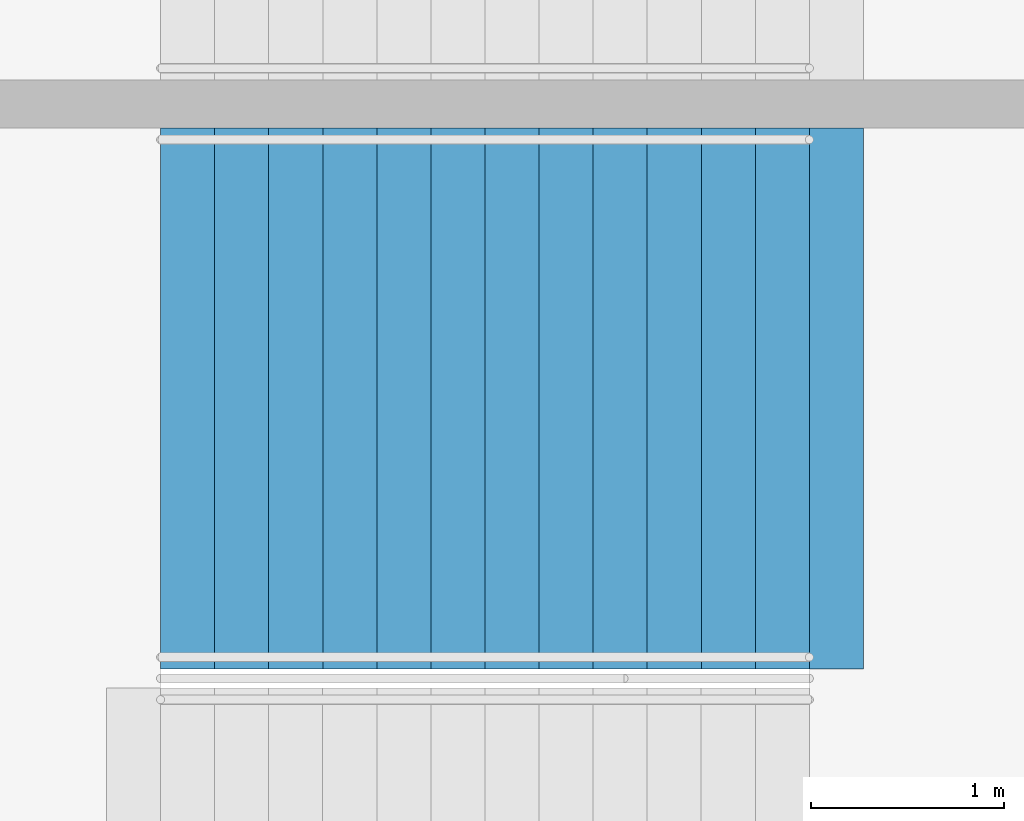
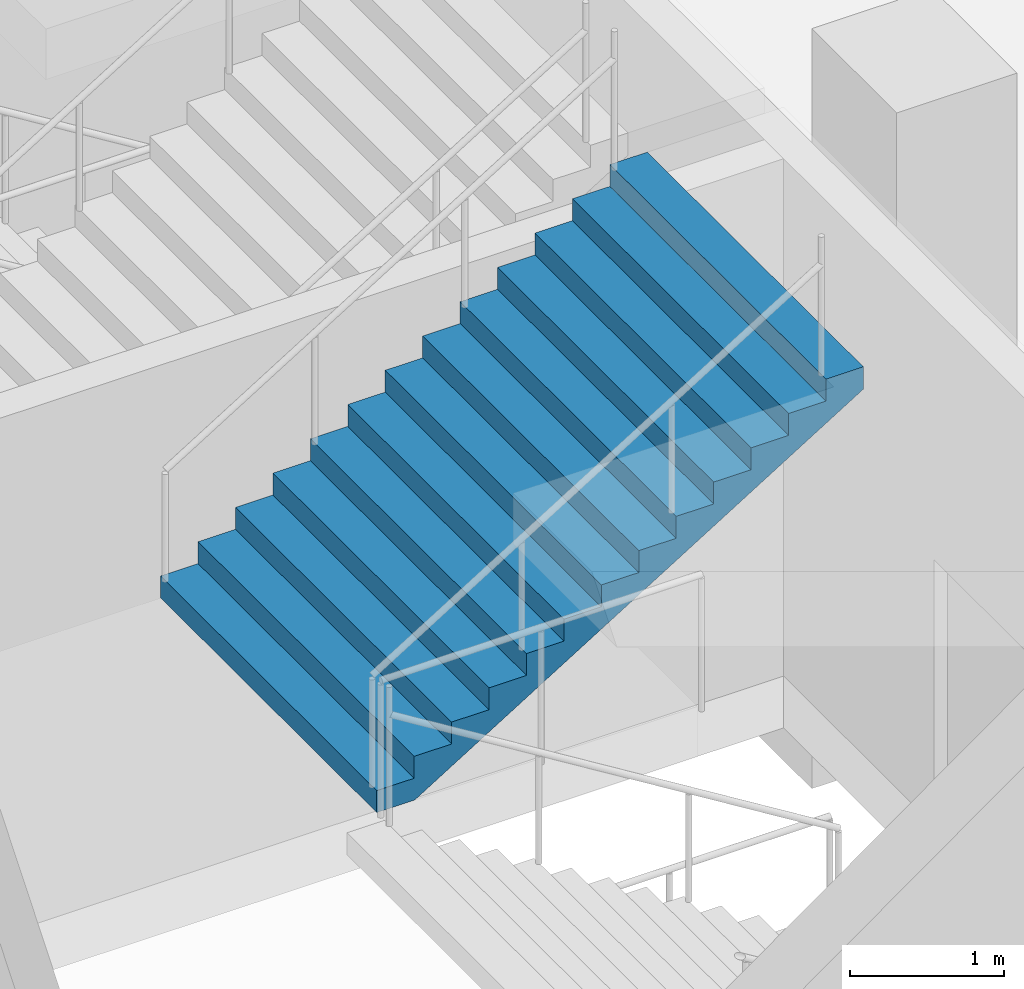
# One storey, part 135 of 199: 1 stair flight, 1 element without a shape of its own.
"""IFC4 building model written with IfcOpenShell, lengths in metres."""

from ifc_helpers import new_model, si_unit, direction, frame, origin, place, context, subcontext, project, spatial, faceted_brep, material, type_object, element, aggregate, save


model = new_model("IFC4")

# Units and contexts
model_context = context("Model", 3, precision=1e-05, world=origin(), true_north=direction((0.0, 1.0)))
body_context = subcontext(model_context, "Body", "Model", "MODEL_VIEW")
ifc_project = project(units=[si_unit("LENGTHUNIT", "METRE"), si_unit("AREAUNIT", "SQUARE_METRE"), si_unit("VOLUMEUNIT", "CUBIC_METRE"), si_unit("PLANEANGLEUNIT", "RADIAN"), si_unit("MASSUNIT", "GRAM", prefix="KILO")], contexts=[model_context])

# Site, building, storey
site_placement = place(None, origin())
site = spatial("IfcSite", under=ifc_project, at=site_placement, CompositionType="ELEMENT")
building_placement = place(site_placement, origin())
building = spatial("IfcBuilding", under=site, at=building_placement, Name="Ogive Plaza Stadium", CompositionType="ELEMENT")
storey_placement = place(building_placement, frame((0.0, 0.0, 4.5)))
storey = spatial("IfcBuildingStorey", under=building, at=storey_placement, Name="L01", CompositionType="ELEMENT", Elevation=4.5)

# Stair, stair flight
ifc_material_1 = material(Name="Concrete C40/50", Category="concrete")
stair_type = type_object("IfcStairType", Name="Exit stair", PredefinedType="STRAIGHT_RUN_STAIR", material=ifc_material_1)
stair_placement = place(storey_placement, origin())
stair = element("IfcStair", 1, at=stair_placement, inside=storey, type_object=stair_type, Name="Exit stair ST26B L01 to L02", PredefinedType="STRAIGHT_RUN_STAIR")
ifc_material_2 = material(Name="Concrete C40/50", Category="concrete")
stair_flight_type = type_object("IfcStairFlightType", Name="Exit stair flight", PredefinedType="STRAIGHT", material=ifc_material_2)
stair_flight_placement = place(storey_placement, frame((-79.7099609375, 20.97509765625, 2.25), z_axis=(0.0, 0.0, 1.0), x_axis=(1.0, 0.0, 0.0)))
stair_flight = element("IfcStairFlight", 2, at=stair_flight_placement, type_object=stair_flight_type, Name="ST26B flight 2", NumberOfRisers=13, NumberOfTreads=12, PredefinedType="STRAIGHT", RiserHeight=0.173076923, TreadLength=0.28, context=body_context, shape_type="Brep", body=[
    faceted_brep([(0.28515625, -1.39990234375, 0.0), (3.639892578125, -1.39990234375, 2.07373046875), (3.639892578125, -1.39990234375, 2.25), (3.360107421875, -1.39990234375, 2.25), (3.360107421875, -1.39990234375, 2.076904296875), (3.080078125, -1.39990234375, 2.076904296875), (3.080078125, -1.39990234375, 1.90380859375), (2.800048828125, -1.39990234375, 1.90380859375), (2.800048828125, -1.39990234375, 1.730712890625), (2.52001953125, -1.39990234375, 1.730712890625), (2.52001953125, -1.39990234375, 1.5576171875), (2.239990234375, -1.39990234375, 1.5576171875), (2.239990234375, -1.39990234375, 1.384521484375), (1.9599609375, -1.39990234375, 1.384521484375), (1.9599609375, -1.39990234375, 1.21142578125), (1.679931640625, -1.39990234375, 1.21142578125), (1.679931640625, -1.39990234375, 1.03857421875), (1.39990234375, -1.39990234375, 1.03857421875), (1.39990234375, -1.39990234375, 0.865478515625), (1.1201171875, -1.39990234375, 0.865478515625), (1.1201171875, -1.39990234375, 0.6923828125), (0.840087890625, -1.39990234375, 0.6923828125), (0.840087890625, -1.39990234375, 0.519287109375), (0.56005859375, -1.39990234375, 0.519287109375), (0.56005859375, -1.39990234375, 0.34619140625), (0.280029296875, -1.39990234375, 0.34619140625), (0.280029296875, -1.39990234375, 0.173095703125), (0.0, -1.39990234375, 0.173095703125), (0.0, -1.39990234375, 0.0), (0.0, 1.39990234375, 0.0), (0.0, 1.39990234375, 0.173095703125), (0.280029296875, 1.39990234375, 0.173095703125), (0.280029296875, 1.39990234375, 0.34619140625), (0.56005859375, 1.39990234375, 0.34619140625), (0.56005859375, 1.39990234375, 0.519287109375), (0.840087890625, 1.39990234375, 0.519287109375), (0.840087890625, 1.39990234375, 0.6923828125), (1.1201171875, 1.39990234375, 0.6923828125), (1.1201171875, 1.39990234375, 0.865478515625), (1.39990234375, 1.39990234375, 0.865478515625), (1.39990234375, 1.39990234375, 1.03857421875), (1.679931640625, 1.39990234375, 1.03857421875), (1.679931640625, 1.39990234375, 1.21142578125), (1.9599609375, 1.39990234375, 1.21142578125), (1.9599609375, 1.39990234375, 1.384521484375), (2.239990234375, 1.39990234375, 1.384521484375), (2.239990234375, 1.39990234375, 1.5576171875), (2.52001953125, 1.39990234375, 1.5576171875), (2.52001953125, 1.39990234375, 1.730712890625), (2.800048828125, 1.39990234375, 1.730712890625), (2.800048828125, 1.39990234375, 1.90380859375), (3.080078125, 1.39990234375, 1.90380859375), (3.080078125, 1.39990234375, 2.076904296875), (3.360107421875, 1.39990234375, 2.076904296875), (3.360107421875, 1.39990234375, 2.25), (3.639892578125, 1.39990234375, 2.25), (3.639892578125, 1.39990234375, 2.07373046875), (0.28515625, 1.39990234375, 0.0), (0.28515625, -1.0888671875, 0.0), (3.639892578125, -1.0888671875, 2.07373046875), (0.28515625, -0.77783203125, 0.0), (3.639892578125, -0.77783203125, 2.07373046875), (0.28515625, -0.466796875, 0.0), (3.639892578125, -0.466796875, 2.07373046875), (0.28515625, -0.155517578125, 0.0), (3.639892578125, -0.155517578125, 2.07373046875), (0.28515625, 0.155517578125, 0.0), (3.639892578125, 0.155517578125, 2.07373046875), (0.28515625, 0.466796875, 0.0), (3.639892578125, 0.466796875, 2.07373046875), (0.28515625, 0.77783203125, 0.0), (3.639892578125, 0.77783203125, 2.07373046875), (0.28515625, 1.0888671875, 0.0), (3.639892578125, 1.0888671875, 2.07373046875), (3.639892578125, -1.0888671875, 2.25), (3.639892578125, -0.77783203125, 2.25), (3.639892578125, -0.466796875, 2.25), (3.639892578125, -0.155517578125, 2.25), (3.639892578125, 0.155517578125, 2.25), (3.639892578125, 0.466796875, 2.25), (3.639892578125, 0.77783203125, 2.25), (3.639892578125, 1.0888671875, 2.25), (3.360107421875, -1.0888671875, 2.25), (3.360107421875, -0.77783203125, 2.25), (3.360107421875, -0.466796875, 2.25), (3.360107421875, -0.155517578125, 2.25), (3.360107421875, 0.155517578125, 2.25), (3.360107421875, 0.466796875, 2.25), (3.360107421875, 0.77783203125, 2.25), (3.360107421875, 1.0888671875, 2.25), (3.360107421875, -1.0888671875, 2.076904296875), (3.360107421875, -0.77783203125, 2.076904296875), (3.360107421875, -0.466796875, 2.076904296875), (3.360107421875, -0.155517578125, 2.076904296875), (3.360107421875, 0.155517578125, 2.076904296875), (3.360107421875, 0.466796875, 2.076904296875), (3.360107421875, 0.77783203125, 2.076904296875), (3.360107421875, 1.0888671875, 2.076904296875), (3.080078125, -1.0888671875, 2.076904296875), (3.080078125, -0.77783203125, 2.076904296875), (3.080078125, -0.466796875, 2.076904296875), (3.080078125, -0.155517578125, 2.076904296875), (3.080078125, 0.155517578125, 2.076904296875), (3.080078125, 0.466796875, 2.076904296875), (3.080078125, 0.77783203125, 2.076904296875), (3.080078125, 1.0888671875, 2.076904296875), (3.080078125, -1.0888671875, 1.90380859375), (3.080078125, -0.77783203125, 1.90380859375), (3.080078125, -0.466796875, 1.90380859375), (3.080078125, -0.155517578125, 1.90380859375), (3.080078125, 0.155517578125, 1.90380859375), (3.080078125, 0.466796875, 1.90380859375), (3.080078125, 0.77783203125, 1.90380859375), (3.080078125, 1.0888671875, 1.90380859375), (2.800048828125, -1.0888671875, 1.90380859375), (2.800048828125, -0.77783203125, 1.90380859375), (2.800048828125, -0.466796875, 1.90380859375), (2.800048828125, -0.155517578125, 1.90380859375), (2.800048828125, 0.155517578125, 1.90380859375), (2.800048828125, 0.466796875, 1.90380859375), (2.800048828125, 0.77783203125, 1.90380859375), (2.800048828125, 1.0888671875, 1.90380859375), (2.800048828125, -1.0888671875, 1.730712890625), (2.800048828125, -0.77783203125, 1.730712890625), (2.800048828125, -0.466796875, 1.730712890625), (2.800048828125, -0.155517578125, 1.730712890625), (2.800048828125, 0.155517578125, 1.730712890625), (2.800048828125, 0.466796875, 1.730712890625), (2.800048828125, 0.77783203125, 1.730712890625), (2.800048828125, 1.0888671875, 1.730712890625), (2.52001953125, -1.0888671875, 1.730712890625), (2.52001953125, -0.77783203125, 1.730712890625), (2.52001953125, -0.466796875, 1.730712890625), (2.52001953125, -0.155517578125, 1.730712890625), (2.52001953125, 0.155517578125, 1.730712890625), (2.52001953125, 0.466796875, 1.730712890625), (2.52001953125, 0.77783203125, 1.730712890625), (2.52001953125, 1.0888671875, 1.730712890625), (2.52001953125, -1.0888671875, 1.5576171875), (2.52001953125, -0.77783203125, 1.5576171875), (2.52001953125, -0.466796875, 1.5576171875), (2.52001953125, -0.155517578125, 1.5576171875), (2.52001953125, 0.155517578125, 1.5576171875), (2.52001953125, 0.466796875, 1.5576171875), (2.52001953125, 0.77783203125, 1.5576171875), (2.52001953125, 1.0888671875, 1.5576171875), (2.239990234375, -1.0888671875, 1.5576171875), (2.239990234375, -0.77783203125, 1.5576171875), (2.239990234375, -0.466796875, 1.5576171875), (2.239990234375, -0.155517578125, 1.5576171875), (2.239990234375, 0.155517578125, 1.5576171875), (2.239990234375, 0.466796875, 1.5576171875), (2.239990234375, 0.77783203125, 1.5576171875), (2.239990234375, 1.0888671875, 1.5576171875), (2.239990234375, -1.0888671875, 1.384521484375), (2.239990234375, -0.77783203125, 1.384521484375), (2.239990234375, -0.466796875, 1.384521484375), (2.239990234375, -0.155517578125, 1.384521484375), (2.239990234375, 0.155517578125, 1.384521484375), (2.239990234375, 0.466796875, 1.384521484375), (2.239990234375, 0.77783203125, 1.384521484375), (2.239990234375, 1.0888671875, 1.384521484375), (1.9599609375, -1.0888671875, 1.384521484375), (1.9599609375, -0.77783203125, 1.384521484375), (1.9599609375, -0.466796875, 1.384521484375), (1.9599609375, -0.155517578125, 1.384521484375), (1.9599609375, 0.155517578125, 1.384521484375), (1.9599609375, 0.466796875, 1.384521484375), (1.9599609375, 0.77783203125, 1.384521484375), (1.9599609375, 1.0888671875, 1.384521484375), (1.9599609375, -1.0888671875, 1.21142578125), (1.9599609375, -0.77783203125, 1.21142578125), (1.9599609375, -0.466796875, 1.21142578125), (1.9599609375, -0.155517578125, 1.21142578125), (1.9599609375, 0.155517578125, 1.21142578125), (1.9599609375, 0.466796875, 1.21142578125), (1.9599609375, 0.77783203125, 1.21142578125), (1.9599609375, 1.0888671875, 1.21142578125), (1.679931640625, -1.0888671875, 1.21142578125), (1.679931640625, -0.77783203125, 1.21142578125), (1.679931640625, -0.466796875, 1.21142578125), (1.679931640625, -0.155517578125, 1.21142578125), (1.679931640625, 0.155517578125, 1.21142578125), (1.679931640625, 0.466796875, 1.21142578125), (1.679931640625, 0.77783203125, 1.21142578125), (1.679931640625, 1.0888671875, 1.21142578125), (1.679931640625, -1.0888671875, 1.03857421875), (1.679931640625, -0.77783203125, 1.03857421875), (1.679931640625, -0.466796875, 1.03857421875), (1.679931640625, -0.155517578125, 1.03857421875), (1.679931640625, 0.155517578125, 1.03857421875), (1.679931640625, 0.466796875, 1.03857421875), (1.679931640625, 0.77783203125, 1.03857421875), (1.679931640625, 1.0888671875, 1.03857421875), (1.39990234375, -1.0888671875, 1.03857421875), (1.39990234375, -0.77783203125, 1.03857421875), (1.39990234375, -0.466796875, 1.03857421875), (1.39990234375, -0.155517578125, 1.03857421875), (1.39990234375, 0.155517578125, 1.03857421875), (1.39990234375, 0.466796875, 1.03857421875), (1.39990234375, 0.77783203125, 1.03857421875), (1.39990234375, 1.0888671875, 1.03857421875), (1.39990234375, -1.0888671875, 0.865478515625), (1.39990234375, -0.77783203125, 0.865478515625), (1.39990234375, -0.466796875, 0.865478515625), (1.39990234375, -0.155517578125, 0.865478515625), (1.39990234375, 0.155517578125, 0.865478515625), (1.39990234375, 0.466796875, 0.865478515625), (1.39990234375, 0.77783203125, 0.865478515625), (1.39990234375, 1.0888671875, 0.865478515625), (1.1201171875, -1.0888671875, 0.865478515625), (1.1201171875, -0.77783203125, 0.865478515625), (1.1201171875, -0.466796875, 0.865478515625), (1.1201171875, -0.155517578125, 0.865478515625), (1.1201171875, 0.155517578125, 0.865478515625), (1.1201171875, 0.466796875, 0.865478515625), (1.1201171875, 0.77783203125, 0.865478515625), (1.1201171875, 1.0888671875, 0.865478515625), (1.1201171875, -1.0888671875, 0.6923828125), (1.1201171875, -0.77783203125, 0.6923828125), (1.1201171875, -0.466796875, 0.6923828125), (1.1201171875, -0.155517578125, 0.6923828125), (1.1201171875, 0.155517578125, 0.6923828125), (1.1201171875, 0.466796875, 0.6923828125), (1.1201171875, 0.77783203125, 0.6923828125), (1.1201171875, 1.0888671875, 0.6923828125), (0.840087890625, -1.0888671875, 0.6923828125), (0.840087890625, -0.77783203125, 0.6923828125), (0.840087890625, -0.466796875, 0.6923828125), (0.840087890625, -0.155517578125, 0.6923828125), (0.840087890625, 0.155517578125, 0.6923828125), (0.840087890625, 0.466796875, 0.6923828125), (0.840087890625, 0.77783203125, 0.6923828125), (0.840087890625, 1.0888671875, 0.6923828125), (0.840087890625, -1.0888671875, 0.519287109375), (0.840087890625, -0.77783203125, 0.519287109375), (0.840087890625, -0.466796875, 0.519287109375), (0.840087890625, -0.155517578125, 0.519287109375), (0.840087890625, 0.155517578125, 0.519287109375), (0.840087890625, 0.466796875, 0.519287109375), (0.840087890625, 0.77783203125, 0.519287109375), (0.840087890625, 1.0888671875, 0.519287109375), (0.56005859375, -1.0888671875, 0.519287109375), (0.56005859375, -0.77783203125, 0.519287109375), (0.56005859375, -0.466796875, 0.519287109375), (0.56005859375, -0.155517578125, 0.519287109375), (0.56005859375, 0.155517578125, 0.519287109375), (0.56005859375, 0.466796875, 0.519287109375), (0.56005859375, 0.77783203125, 0.519287109375), (0.56005859375, 1.0888671875, 0.519287109375), (0.56005859375, -1.0888671875, 0.34619140625), (0.56005859375, -0.77783203125, 0.34619140625), (0.56005859375, -0.466796875, 0.34619140625), (0.56005859375, -0.155517578125, 0.34619140625), (0.56005859375, 0.155517578125, 0.34619140625), (0.56005859375, 0.466796875, 0.34619140625), (0.56005859375, 0.77783203125, 0.34619140625), (0.56005859375, 1.0888671875, 0.34619140625), (0.280029296875, -1.0888671875, 0.34619140625), (0.280029296875, -0.77783203125, 0.34619140625), (0.280029296875, -0.466796875, 0.34619140625), (0.280029296875, -0.155517578125, 0.34619140625), (0.280029296875, 0.155517578125, 0.34619140625), (0.280029296875, 0.466796875, 0.34619140625), (0.280029296875, 0.77783203125, 0.34619140625), (0.280029296875, 1.0888671875, 0.34619140625), (0.280029296875, -1.0888671875, 0.173095703125), (0.280029296875, -0.77783203125, 0.173095703125), (0.280029296875, -0.466796875, 0.173095703125), (0.280029296875, -0.155517578125, 0.173095703125), (0.280029296875, 0.155517578125, 0.173095703125), (0.280029296875, 0.466796875, 0.173095703125), (0.280029296875, 0.77783203125, 0.173095703125), (0.280029296875, 1.0888671875, 0.173095703125), (0.0, -1.0888671875, 0.173095703125), (0.0, -0.77783203125, 0.173095703125), (0.0, -0.466796875, 0.173095703125), (0.0, -0.155517578125, 0.173095703125), (0.0, 0.155517578125, 0.173095703125), (0.0, 0.466796875, 0.173095703125), (0.0, 0.77783203125, 0.173095703125), (0.0, 1.0888671875, 0.173095703125), (0.0, -1.0888671875, 0.0), (0.0, -0.77783203125, 0.0), (0.0, -0.466796875, 0.0), (0.0, -0.155517578125, 0.0), (0.0, 0.155517578125, 0.0), (0.0, 0.466796875, 0.0), (0.0, 0.77783203125, 0.0), (0.0, 1.0888671875, 0.0)], [[[0, 1, 2, 3, 4, 5, 6, 7, 8, 9, 10, 11, 12, 13, 14, 15, 16, 17, 18, 19, 20, 21, 22, 23, 24, 25, 26, 27, 28]], [[29, 30, 31, 32, 33, 34, 35, 36, 37, 38, 39, 40, 41, 42, 43, 44, 45, 46, 47, 48, 49, 50, 51, 52, 53, 54, 55, 56, 57]], [[0, 58, 59, 1]], [[58, 60, 61, 59]], [[60, 62, 63, 61]], [[62, 64, 65, 63]], [[64, 66, 67, 65]], [[66, 68, 69, 67]], [[68, 70, 71, 69]], [[70, 72, 73, 71]], [[72, 57, 56, 73]], [[1, 59, 74, 2]], [[59, 61, 75, 74]], [[61, 63, 76, 75]], [[63, 65, 77, 76]], [[65, 67, 78, 77]], [[67, 69, 79, 78]], [[69, 71, 80, 79]], [[71, 73, 81, 80]], [[73, 56, 55, 81]], [[2, 74, 82, 3]], [[74, 75, 83, 82]], [[75, 76, 84, 83]], [[76, 77, 85, 84]], [[77, 78, 86, 85]], [[78, 79, 87, 86]], [[79, 80, 88, 87]], [[80, 81, 89, 88]], [[81, 55, 54, 89]], [[3, 82, 90, 4]], [[82, 83, 91, 90]], [[83, 84, 92, 91]], [[84, 85, 93, 92]], [[85, 86, 94, 93]], [[86, 87, 95, 94]], [[87, 88, 96, 95]], [[88, 89, 97, 96]], [[89, 54, 53, 97]], [[4, 90, 98, 5]], [[90, 91, 99, 98]], [[91, 92, 100, 99]], [[92, 93, 101, 100]], [[93, 94, 102, 101]], [[94, 95, 103, 102]], [[95, 96, 104, 103]], [[96, 97, 105, 104]], [[97, 53, 52, 105]], [[5, 98, 106, 6]], [[98, 99, 107, 106]], [[99, 100, 108, 107]], [[100, 101, 109, 108]], [[101, 102, 110, 109]], [[102, 103, 111, 110]], [[103, 104, 112, 111]], [[104, 105, 113, 112]], [[105, 52, 51, 113]], [[6, 106, 114, 7]], [[106, 107, 115, 114]], [[107, 108, 116, 115]], [[108, 109, 117, 116]], [[109, 110, 118, 117]], [[110, 111, 119, 118]], [[111, 112, 120, 119]], [[112, 113, 121, 120]], [[113, 51, 50, 121]], [[7, 114, 122, 8]], [[114, 115, 123, 122]], [[115, 116, 124, 123]], [[116, 117, 125, 124]], [[117, 118, 126, 125]], [[118, 119, 127, 126]], [[119, 120, 128, 127]], [[120, 121, 129, 128]], [[121, 50, 49, 129]], [[8, 122, 130, 9]], [[122, 123, 131, 130]], [[123, 124, 132, 131]], [[124, 125, 133, 132]], [[125, 126, 134, 133]], [[126, 127, 135, 134]], [[127, 128, 136, 135]], [[128, 129, 137, 136]], [[129, 49, 48, 137]], [[9, 130, 138, 10]], [[130, 131, 139, 138]], [[131, 132, 140, 139]], [[132, 133, 141, 140]], [[133, 134, 142, 141]], [[134, 135, 143, 142]], [[135, 136, 144, 143]], [[136, 137, 145, 144]], [[137, 48, 47, 145]], [[10, 138, 146, 11]], [[138, 139, 147, 146]], [[139, 140, 148, 147]], [[140, 141, 149, 148]], [[141, 142, 150, 149]], [[142, 143, 151, 150]], [[143, 144, 152, 151]], [[144, 145, 153, 152]], [[145, 47, 46, 153]], [[11, 146, 154, 12]], [[146, 147, 155, 154]], [[147, 148, 156, 155]], [[148, 149, 157, 156]], [[149, 150, 158, 157]], [[150, 151, 159, 158]], [[151, 152, 160, 159]], [[152, 153, 161, 160]], [[153, 46, 45, 161]], [[12, 154, 162, 13]], [[154, 155, 163, 162]], [[155, 156, 164, 163]], [[156, 157, 165, 164]], [[157, 158, 166, 165]], [[158, 159, 167, 166]], [[159, 160, 168, 167]], [[160, 161, 169, 168]], [[161, 45, 44, 169]], [[13, 162, 170, 14]], [[162, 163, 171, 170]], [[163, 164, 172, 171]], [[164, 165, 173, 172]], [[165, 166, 174, 173]], [[166, 167, 175, 174]], [[167, 168, 176, 175]], [[168, 169, 177, 176]], [[169, 44, 43, 177]], [[14, 170, 178, 15]], [[170, 171, 179, 178]], [[171, 172, 180, 179]], [[172, 173, 181, 180]], [[173, 174, 182, 181]], [[174, 175, 183, 182]], [[175, 176, 184, 183]], [[176, 177, 185, 184]], [[177, 43, 42, 185]], [[15, 178, 186, 16]], [[178, 179, 187, 186]], [[179, 180, 188, 187]], [[180, 181, 189, 188]], [[181, 182, 190, 189]], [[182, 183, 191, 190]], [[183, 184, 192, 191]], [[184, 185, 193, 192]], [[185, 42, 41, 193]], [[16, 186, 194, 17]], [[186, 187, 195, 194]], [[187, 188, 196, 195]], [[188, 189, 197, 196]], [[189, 190, 198, 197]], [[190, 191, 199, 198]], [[191, 192, 200, 199]], [[192, 193, 201, 200]], [[193, 41, 40, 201]], [[17, 194, 202, 18]], [[194, 195, 203, 202]], [[195, 196, 204, 203]], [[196, 197, 205, 204]], [[197, 198, 206, 205]], [[198, 199, 207, 206]], [[199, 200, 208, 207]], [[200, 201, 209, 208]], [[201, 40, 39, 209]], [[18, 202, 210, 19]], [[202, 203, 211, 210]], [[203, 204, 212, 211]], [[204, 205, 213, 212]], [[205, 206, 214, 213]], [[206, 207, 215, 214]], [[207, 208, 216, 215]], [[208, 209, 217, 216]], [[209, 39, 38, 217]], [[19, 210, 218, 20]], [[210, 211, 219, 218]], [[211, 212, 220, 219]], [[212, 213, 221, 220]], [[213, 214, 222, 221]], [[214, 215, 223, 222]], [[215, 216, 224, 223]], [[216, 217, 225, 224]], [[217, 38, 37, 225]], [[20, 218, 226, 21]], [[218, 219, 227, 226]], [[219, 220, 228, 227]], [[220, 221, 229, 228]], [[221, 222, 230, 229]], [[222, 223, 231, 230]], [[223, 224, 232, 231]], [[224, 225, 233, 232]], [[225, 37, 36, 233]], [[21, 226, 234, 22]], [[226, 227, 235, 234]], [[227, 228, 236, 235]], [[228, 229, 237, 236]], [[229, 230, 238, 237]], [[230, 231, 239, 238]], [[231, 232, 240, 239]], [[232, 233, 241, 240]], [[233, 36, 35, 241]], [[22, 234, 242, 23]], [[234, 235, 243, 242]], [[235, 236, 244, 243]], [[236, 237, 245, 244]], [[237, 238, 246, 245]], [[238, 239, 247, 246]], [[239, 240, 248, 247]], [[240, 241, 249, 248]], [[241, 35, 34, 249]], [[23, 242, 250, 24]], [[242, 243, 251, 250]], [[243, 244, 252, 251]], [[244, 245, 253, 252]], [[245, 246, 254, 253]], [[246, 247, 255, 254]], [[247, 248, 256, 255]], [[248, 249, 257, 256]], [[249, 34, 33, 257]], [[24, 250, 258, 25]], [[250, 251, 259, 258]], [[251, 252, 260, 259]], [[252, 253, 261, 260]], [[253, 254, 262, 261]], [[254, 255, 263, 262]], [[255, 256, 264, 263]], [[256, 257, 265, 264]], [[257, 33, 32, 265]], [[25, 258, 266, 26]], [[258, 259, 267, 266]], [[259, 260, 268, 267]], [[260, 261, 269, 268]], [[261, 262, 270, 269]], [[262, 263, 271, 270]], [[263, 264, 272, 271]], [[264, 265, 273, 272]], [[265, 32, 31, 273]], [[26, 266, 274, 27]], [[266, 267, 275, 274]], [[267, 268, 276, 275]], [[268, 269, 277, 276]], [[269, 270, 278, 277]], [[270, 271, 279, 278]], [[271, 272, 280, 279]], [[272, 273, 281, 280]], [[273, 31, 30, 281]], [[27, 274, 282, 28]], [[274, 275, 283, 282]], [[275, 276, 284, 283]], [[276, 277, 285, 284]], [[277, 278, 286, 285]], [[278, 279, 287, 286]], [[279, 280, 288, 287]], [[280, 281, 289, 288]], [[281, 30, 29, 289]], [[28, 282, 58, 0]], [[282, 283, 60, 58]], [[283, 284, 62, 60]], [[284, 285, 64, 62]], [[285, 286, 66, 64]], [[286, 287, 68, 66]], [[287, 288, 70, 68]], [[288, 289, 72, 70]], [[289, 29, 57, 72]]]),
])
aggregate(stair, [stair_flight])

save(model, "model.ifc")
